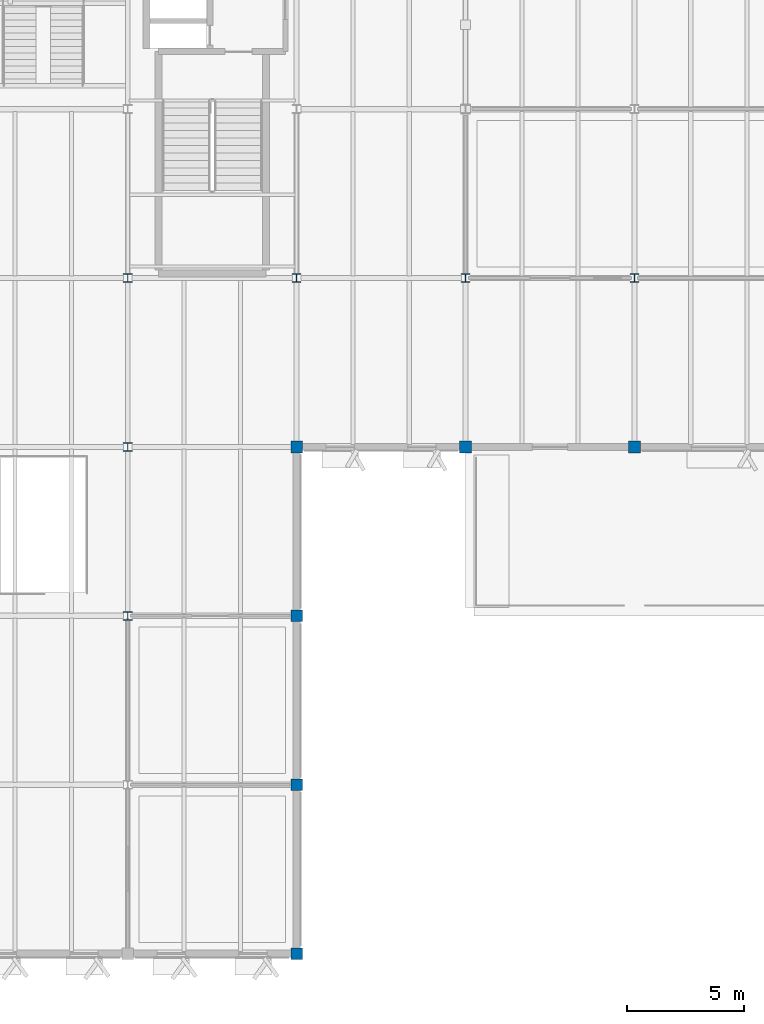
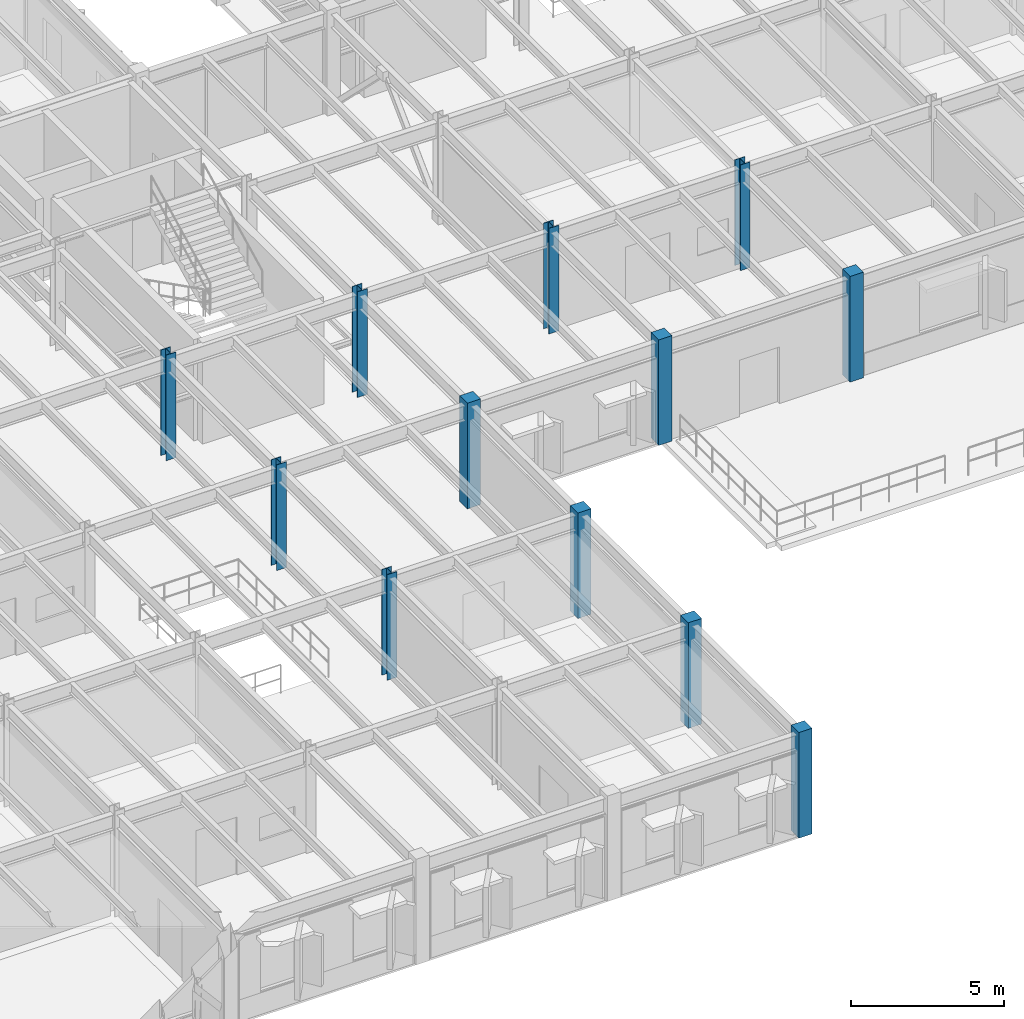
# One storey, part 6 of 85: 12 columns.
"""IFC4 building model written with IfcOpenShell, lengths in metres."""

from ifc_helpers import new_model, si_unit, direction, frame, origin, origin_2d, place, context, subcontext, project, spatial, rectangle, i_section, extrude, material, material_profile, profile_set, type_object, element, save


model = new_model("IFC4")

# Units and contexts
model_context = context("Model", 3, precision=1e-05, world=origin(), true_north=direction((0.0, 1.0)))
body_context = subcontext(model_context, "Body", "Model", "MODEL_VIEW")
ifc_project = project(units=[si_unit("LENGTHUNIT", "METRE"), si_unit("AREAUNIT", "SQUARE_METRE"), si_unit("VOLUMEUNIT", "CUBIC_METRE"), si_unit("PLANEANGLEUNIT", "RADIAN"), si_unit("MASSUNIT", "GRAM", prefix="KILO")], contexts=[model_context])

# Site, building, storey
site_placement = place(None, origin())
site = spatial("IfcSite", under=ifc_project, at=site_placement, CompositionType="ELEMENT")
building_placement = place(site_placement, origin())
building = spatial("IfcBuilding", under=site, at=building_placement, Name="Sillqori Civic Hall", CompositionType="ELEMENT")
storey_placement = place(building_placement, frame((0.0, 0.0, 9.89990234375)))
storey = spatial("IfcBuildingStorey", under=building, at=storey_placement, Name="L03", CompositionType="ELEMENT", Elevation=9.89990234375)

# Columns
ifc_material_1 = material(Name="Concrete C35/45 (H35)", Category="concrete")
ifc_material_profile_1 = material_profile(ifc_material_1, rectangle(XDim=0.5, YDim=0.5, at=origin_2d()), Name="RC 500x500")
ifc_profile_set_1 = profile_set([ifc_material_profile_1], Name="Concrete C35/45 (H35)")
column_type_1 = type_object("IfcColumnType", Name="COL-RC500", PredefinedType="COLUMN", material=ifc_profile_set_1)
for number, where, z_axis, x_axis, name in (
    (1, (115.199951171875, 7.199951171875, 0.0), (0.0, 0.0, 1.0), (1.0, 0.0, 0.0), "L03 column 16-1"),
    (2, (115.199951171875, 14.39990234375, 0.0), (0.0, 0.0, 1.0), (1.0, 0.0, 0.0), "L03 column 16-2"),
    (3, (115.199951171875, 21.60009765625, 0.0), (0.0, 0.0, 1.0), (1.0, 0.0, 0.0), "L03 column 16-3"),
    (4, (115.199951171875, 28.800048828125, 0.0), (0.0, 0.0, 1.0), (1.0, 0.0, 0.0), "L03 column 16-4"),
    (5, (122.39990234375, 28.800048828125, 0.0), (0.0, 0.0, 1.0), (1.0, 0.0, 0.0), "L03 column 17-4"),
    (6, (129.60009765625, 28.800048828125, 0.0), (0.0, 0.0, 1.0), (1.0, 0.0, 0.0), "L03 column 18-4"),
):
    element("IfcColumn", number, at=place(storey_placement, frame(where, z_axis=z_axis, x_axis=x_axis)), inside=storey, type_object=column_type_1, Name=name, PredefinedType="COLUMN", context=body_context, shape_type="SweptSolid", body=[
        extrude(rectangle(XDim=0.5, YDim=0.5, at=origin_2d()), origin(), (0.0, 0.0, 1.0), 4.2001953125),
    ])
ifc_material_2 = material(Name="Steel ASTM A992", Category="steel")
ifc_material_profile_2 = material_profile(ifc_material_2, i_section(OverallWidth=0.37109375, OverallDepth=0.361083984375, WebThickness=0.012451171875, FlangeThickness=0.019775390625, FilletRadius=0.014892578125, at=origin_2d()), Name="W14X99")
ifc_profile_set_2 = profile_set([ifc_material_profile_2], Name="Steel ASTM A992")
column_type_2 = type_object("IfcColumnType", Name="COL-W14X99", PredefinedType="COLUMN", material=ifc_profile_set_2)
for number, where, z_axis, x_axis, name in (
    (7, (108.0, 21.60009765625, 0.0), (0.0, 0.0, 1.0), (1.0, 0.0, 0.0), "L03 column 15-3"),
    (8, (108.0, 28.800048828125, 0.0), (0.0, 0.0, 1.0), (1.0, 0.0, 0.0), "L03 column 15-4"),
    (9, (108.0, 36.0, 0.0), (0.0, 0.0, 1.0), (1.0, 0.0, 0.0), "L03 column 15-5"),
    (10, (115.199951171875, 36.0, 0.0), (0.0, 0.0, 1.0), (1.0, 0.0, 0.0), "L03 column 16-5"),
    (11, (122.39990234375, 36.0, 0.0), (0.0, 0.0, 1.0), (1.0, 0.0, 0.0), "L03 column 17-5"),
    (12, (129.60009765625, 36.0, 0.0), (0.0, 0.0, 1.0), (1.0, 0.0, 0.0), "L03 column 18-5"),
):
    element("IfcColumn", number, at=place(storey_placement, frame(where, z_axis=z_axis, x_axis=x_axis)), inside=storey, type_object=column_type_2, Name=name, PredefinedType="COLUMN", context=body_context, shape_type="SweptSolid", body=[
        extrude(i_section(OverallWidth=0.37109375, OverallDepth=0.361083984375, WebThickness=0.012451171875, FlangeThickness=0.019775390625, FilletRadius=0.014892578125, at=origin_2d()), origin(), (0.0, 0.0, 1.0), 4.2001953125),
    ])

save(model, "model.ifc")
